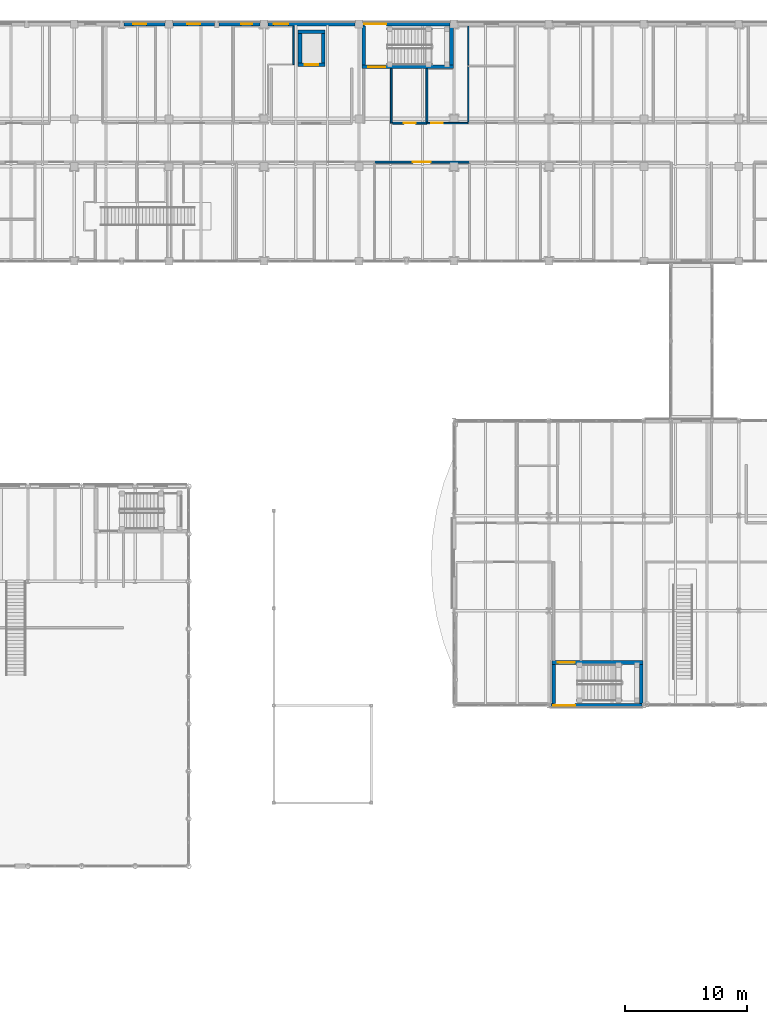
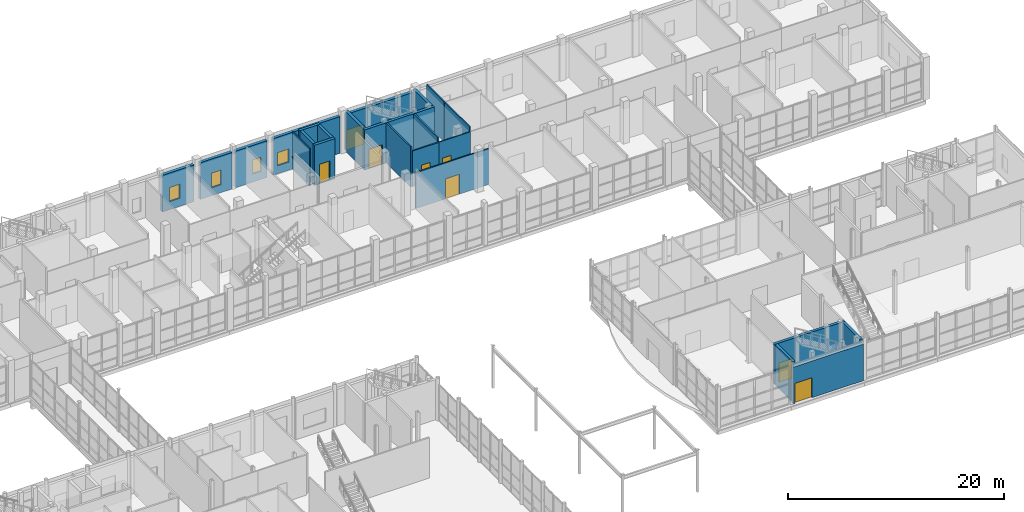
# One storey, part 102 of 131: 24 walls, 8 doors, 4 windows, 12 openings.
"""IFC4 building model written with IfcOpenShell, lengths in metres."""

from ifc_helpers import new_model, si_unit, direction, frame, frame_2d, origin, place, context, subcontext, project, spatial, rectangle, extrude, material, layer, layer_set, type_object, element, fill, save


model = new_model("IFC4")

# Units and contexts
model_context = context("Model", 3, precision=1e-05, world=origin(), true_north=direction((0.0, 1.0)))
body_context = subcontext(model_context, "Body", "Model", "MODEL_VIEW")
ifc_project = project(units=[si_unit("LENGTHUNIT", "METRE"), si_unit("AREAUNIT", "SQUARE_METRE"), si_unit("VOLUMEUNIT", "CUBIC_METRE"), si_unit("PLANEANGLEUNIT", "RADIAN"), si_unit("MASSUNIT", "GRAM", prefix="KILO")], contexts=[model_context])

# Site, building, storey
site_placement = place(None, origin())
site = spatial("IfcSite", under=ifc_project, at=site_placement, CompositionType="ELEMENT")
building_placement = place(site_placement, origin())
building = spatial("IfcBuilding", under=site, at=building_placement, Name="Celorna Specialist Clinic", CompositionType="ELEMENT")
storey_placement = place(building_placement, origin())
storey = spatial("IfcBuildingStorey", under=building, at=storey_placement, Name="L00", CompositionType="ELEMENT", Elevation=0.0)

# Wall, opening, door
ifc_material_1 = material(Name="Pero Pinheiro Lioz limestone insulated masonry", Category="masonry")
ifc_layer_1 = layer(ifc_material_1, 0.340087890625, Name="Pero Pinheiro Lioz limestone insulated masonry")
ifc_layer_set_1 = layer_set([ifc_layer_1], Name="Pero Pinheiro Lioz limestone insulated masonry")
wall_type_1 = type_object("IfcWallType", Name="WT-07", PredefinedType="STANDARD", material=ifc_layer_set_1)
wall_1_placement = place(storey_placement, frame((140.25, 60.0, 0.0), z_axis=(0.0, 0.0, 1.0), x_axis=(-1.0, 0.0, 0.0)))
wall_1 = element("IfcWall", 1, at=wall_1_placement, inside=storey, type_object=wall_type_1, Name="External facade wall WT-07 #141", PredefinedType="STANDARD", context=body_context, shape_type="SweptSolid", body=[
    extrude(rectangle(XDim=7.5, YDim=0.340087890625, at=frame_2d((3.75, 0.0))), origin(), (0.0, 0.0, 1.0), 4.139892578125),
])
opening_1_placement = place(wall_1_placement, frame((5.489990234375, 0.0, 0.0)))
opening_1 = element("IfcOpeningElement", 2, at=opening_1_placement, cuts=wall_1, Name="Opening DR-14", PredefinedType="OPENING", context=body_context, shape_type="SweptSolid", body=[
    extrude(rectangle(XDim=1.800048828125, YDim=2.25, at=frame_2d((0.89990234375, 1.125))), frame((0.0, 0.179931640625, 0.0), z_axis=(0.0, -1.0, 0.0), x_axis=(1.0, 0.0, 0.0)), (0.0, 0.0, 1.0), 0.360107421875),
])
ifc_material_2 = material(Name="Glazed aluminium final exit double door", Category="aluminium")
door_type_1 = type_object("IfcDoorType", Name="DR-14", OperationType="DOUBLE_DOOR_SINGLE_SWING", PredefinedType="DOOR", material=ifc_material_2)
door_1_placement = place(opening_1_placement, origin())
door_1 = element("IfcDoor", 3, at=door_1_placement, inside=storey, type_object=door_type_1, Name="Pedestrian final exit E13", OperationType="DOUBLE_DOOR_SINGLE_SWING", OverallHeight=2.25, OverallWidth=1.800048828125, PredefinedType="DOOR", context=body_context, shape_type="SweptSolid", body=[
    extrude(rectangle(XDim=1.800048828125, YDim=2.25, at=frame_2d((0.89990234375, 1.125))), frame((0.0, 0.02490234375, 0.0), z_axis=(0.0, -1.0, 0.0), x_axis=(1.0, 0.0, 0.0)), (0.0, 0.0, 1.0), 0.050048828125),
])
fill(opening_1, door_1)

# Wall, opening, window
wall_2_placement = place(storey_placement, frame((97.675048828125, 116.0, 0.0), z_axis=(0.0, 0.0, 1.0), x_axis=(1.0, 0.0, 0.0)))
wall_2 = element("IfcWall", 4, at=wall_2_placement, inside=storey, type_object=wall_type_1, Name="External facade wall WT-07 #170", PredefinedType="STANDARD", context=body_context, shape_type="SweptSolid", body=[
    extrude(rectangle(XDim=3.39990234375, YDim=0.340087890625, at=frame_2d((1.699951171875, 0.0))), origin(), (0.0, 0.0, 1.0), 4.139892578125),
])
opening_2_placement = place(wall_2_placement, frame((0.757568359375, 0.0, 0.89990234375)))
opening_2 = element("IfcOpeningElement", 5, at=opening_2_placement, cuts=wall_2, Name="Opening WN-03", PredefinedType="OPENING", context=body_context, shape_type="SweptSolid", body=[
    extrude(rectangle(XDim=1.10009765625, YDim=1.60009765625, at=frame_2d((0.550048828125, 0.800048828125))), frame((0.0, 0.179931640625, 0.0), z_axis=(0.0, -1.0, 0.0), x_axis=(1.0, 0.0, 0.0)), (0.0, 0.0, 1.0), 0.360107421875),
])
ifc_material_3 = material(Name="Thermally broken aluminium triple-glazed window", Category="aluminium")
window_type_1 = type_object("IfcWindowType", Name="WN-03", PartitioningType="SINGLE_PANEL", PredefinedType="WINDOW", material=ifc_material_3)
window_1_placement = place(opening_2_placement, origin())
window_1 = element("IfcWindow", 6, at=window_1_placement, inside=storey, type_object=window_type_1, Name="Facade window WN-03 #63", OverallHeight=1.60009765625, OverallWidth=1.10009765625, PartitioningType="SINGLE_PANEL", PredefinedType="WINDOW", context=body_context, shape_type="SweptSolid", body=[
    extrude(rectangle(XDim=1.10009765625, YDim=1.60009765625, at=frame_2d((0.550048828125, 0.800048828125))), frame((0.0, 0.030029296875, 0.0), z_axis=(0.0, -1.0, 0.0), x_axis=(1.0, 0.0, 0.0)), (0.0, 0.0, 1.0), 0.06005859375),
])
fill(opening_2, window_1)

wall_3_placement = place(storey_placement, frame((101.72509765625, 116.0, 0.0), z_axis=(0.0, 0.0, 1.0), x_axis=(1.0, 0.0, 0.0)))
wall_3 = element("IfcWall", 7, at=wall_3_placement, inside=storey, type_object=wall_type_1, Name="External facade wall WT-07 #171", PredefinedType="STANDARD", context=body_context, shape_type="SweptSolid", body=[
    extrude(rectangle(XDim=3.39990234375, YDim=0.340087890625, at=frame_2d((1.699951171875, 0.0))), origin(), (0.0, 0.0, 1.0), 4.139892578125),
])
opening_3_placement = place(wall_3_placement, frame((1.175048828125, 0.0, 0.89990234375)))
opening_3 = element("IfcOpeningElement", 8, at=opening_3_placement, cuts=wall_3, Name="Opening WN-21", PredefinedType="OPENING", context=body_context, shape_type="SweptSolid", body=[
    extrude(rectangle(XDim=1.050048828125, YDim=1.64990234375, at=frame_2d((0.52490234375, 0.824951171875))), frame((0.0, 0.179931640625, 0.0), z_axis=(0.0, -1.0, 0.0), x_axis=(1.0, 0.0, 0.0)), (0.0, 0.0, 1.0), 0.360107421875),
])
window_type_2 = type_object("IfcWindowType", Name="WN-21", PartitioningType="SINGLE_PANEL", PredefinedType="WINDOW", material=ifc_material_3)
window_2_placement = place(opening_3_placement, origin())
window_2 = element("IfcWindow", 9, at=window_2_placement, inside=storey, type_object=window_type_2, Name="Facade window WN-21 #64", OverallHeight=1.64990234375, OverallWidth=1.050048828125, PartitioningType="SINGLE_PANEL", PredefinedType="WINDOW", context=body_context, shape_type="SweptSolid", body=[
    extrude(rectangle(XDim=1.050048828125, YDim=1.64990234375, at=frame_2d((0.52490234375, 0.824951171875))), frame((0.0, 0.030029296875, 0.0), z_axis=(0.0, -1.0, 0.0), x_axis=(1.0, 0.0, 0.0)), (0.0, 0.0, 1.0), 0.06005859375),
])
fill(opening_3, window_2)

wall_4_placement = place(storey_placement, frame((105.47509765625, 116.0, 0.0), z_axis=(0.0, 0.0, 1.0), x_axis=(1.0, 0.0, 0.0)))
wall_4 = element("IfcWall", 10, at=wall_4_placement, inside=storey, type_object=wall_type_1, Name="External facade wall WT-07 #172", PredefinedType="STANDARD", context=body_context, shape_type="SweptSolid", body=[
    extrude(rectangle(XDim=3.39990234375, YDim=0.340087890625, at=frame_2d((1.699951171875, 0.0))), origin(), (0.0, 0.0, 1.0), 4.139892578125),
])
opening_4_placement = place(wall_4_placement, frame((1.83740234375, 0.0, 0.89990234375)))
opening_4 = element("IfcOpeningElement", 11, at=opening_4_placement, cuts=wall_4, Name="Opening WN-01", PredefinedType="OPENING", context=body_context, shape_type="SweptSolid", body=[
    extrude(rectangle(XDim=0.89990234375, YDim=1.60009765625, at=frame_2d((0.449951171875, 0.800048828125))), frame((0.0, 0.179931640625, 0.0), z_axis=(0.0, -1.0, 0.0), x_axis=(1.0, 0.0, 0.0)), (0.0, 0.0, 1.0), 0.360107421875),
])
window_type_3 = type_object("IfcWindowType", Name="WN-01", PartitioningType="SINGLE_PANEL", PredefinedType="WINDOW", material=ifc_material_3)
window_3_placement = place(opening_4_placement, origin())
window_3 = element("IfcWindow", 12, at=window_3_placement, inside=storey, type_object=window_type_3, Name="Facade window WN-01 #65", OverallHeight=1.60009765625, OverallWidth=0.89990234375, PartitioningType="SINGLE_PANEL", PredefinedType="WINDOW", context=body_context, shape_type="SweptSolid", body=[
    extrude(rectangle(XDim=0.89990234375, YDim=1.60009765625, at=frame_2d((0.449951171875, 0.800048828125))), frame((0.0, 0.030029296875, 0.0), z_axis=(0.0, -1.0, 0.0), x_axis=(1.0, 0.0, 0.0)), (0.0, 0.0, 1.0), 0.06005859375),
])
fill(opening_4, window_3)

wall_5_placement = place(storey_placement, frame((109.52490234375, 116.0, 0.0), z_axis=(0.0, 0.0, 1.0), x_axis=(1.0, 0.0, 0.0)))
wall_5 = element("IfcWall", 13, at=wall_5_placement, inside=storey, type_object=wall_type_1, Name="External facade wall WT-07 #173", PredefinedType="STANDARD", context=body_context, shape_type="SweptSolid", body=[
    extrude(rectangle(XDim=7.150146484375, YDim=0.340087890625, at=frame_2d((3.5751953125, 0.0))), origin(), (0.0, 0.0, 1.0), 4.139892578125),
])
opening_5_placement = place(wall_5_placement, frame((0.45751953125, 0.0, 0.89990234375)))
opening_5 = element("IfcOpeningElement", 14, at=opening_5_placement, cuts=wall_5, Name="Opening WN-04", PredefinedType="OPENING", context=body_context, shape_type="SweptSolid", body=[
    extrude(rectangle(XDim=1.199951171875, YDim=1.5, at=frame_2d((0.60009765625, 0.75))), frame((0.0, 0.179931640625, 0.0), z_axis=(0.0, -1.0, 0.0), x_axis=(1.0, 0.0, 0.0)), (0.0, 0.0, 1.0), 0.360107421875),
])
window_type_4 = type_object("IfcWindowType", Name="WN-04", PartitioningType="SINGLE_PANEL", PredefinedType="WINDOW", material=ifc_material_3)
window_4_placement = place(opening_5_placement, origin())
window_4 = element("IfcWindow", 15, at=window_4_placement, inside=storey, type_object=window_type_4, Name="Facade window WN-04 #66", OverallHeight=1.5, OverallWidth=1.199951171875, PartitioningType="SINGLE_PANEL", PredefinedType="WINDOW", context=body_context, shape_type="SweptSolid", body=[
    extrude(rectangle(XDim=1.199951171875, YDim=1.5, at=frame_2d((0.60009765625, 0.75))), frame((0.0, 0.030029296875, 0.0), z_axis=(0.0, -1.0, 0.0), x_axis=(1.0, 0.0, 0.0)), (0.0, 0.0, 1.0), 0.06005859375),
])
fill(opening_5, window_4)

# Wall, opening, door
wall_6_placement = place(storey_placement, frame((117.324951171875, 116.0, 0.0), z_axis=(0.0, 0.0, 1.0), x_axis=(1.0, 0.0, 0.0)))
wall_6 = element("IfcWall", 16, at=wall_6_placement, inside=storey, type_object=wall_type_1, Name="External facade wall WT-07 #174", PredefinedType="STANDARD", context=body_context, shape_type="SweptSolid", body=[
    extrude(rectangle(XDim=7.150146484375, YDim=0.340087890625, at=frame_2d((3.5751953125, 0.0))), origin(), (0.0, 0.0, 1.0), 4.139892578125),
])
opening_6_placement = place(wall_6_placement, frame((0.1201171875, 0.0, 0.0)))
opening_6 = element("IfcOpeningElement", 17, at=opening_6_placement, cuts=wall_6, Name="Opening DR-14", PredefinedType="OPENING", context=body_context, shape_type="SweptSolid", body=[
    extrude(rectangle(XDim=1.800048828125, YDim=2.25, at=frame_2d((0.89990234375, 1.125))), frame((0.0, 0.179931640625, 0.0), z_axis=(0.0, -1.0, 0.0), x_axis=(1.0, 0.0, 0.0)), (0.0, 0.0, 1.0), 0.360107421875),
])
door_2_placement = place(opening_6_placement, origin())
door_2 = element("IfcDoor", 18, at=door_2_placement, inside=storey, type_object=door_type_1, Name="Pedestrian final exit E03", OperationType="DOUBLE_DOOR_SINGLE_SWING", OverallHeight=2.25, OverallWidth=1.800048828125, PredefinedType="DOOR", context=body_context, shape_type="SweptSolid", body=[
    extrude(rectangle(XDim=1.800048828125, YDim=2.25, at=frame_2d((0.89990234375, 1.125))), frame((0.0, 0.02490234375, 0.0), z_axis=(0.0, -1.0, 0.0), x_axis=(1.0, 0.0, 0.0)), (0.0, 0.0, 1.0), 0.050048828125),
])
fill(opening_6, door_2)

ifc_material_4 = material(Name="Concrete C35/45", Category="concrete")
ifc_layer_2 = layer(ifc_material_4, 0.300048828125, Name="Concrete C35/45")
ifc_layer_set_2 = layer_set([ifc_layer_2], Name="Concrete C35/45")
wall_type_2 = type_object("IfcWallType", Name="WT-08", PredefinedType="SHEAR", material=ifc_layer_set_2)
wall_7_placement = place(storey_placement, frame((117.239990234375, 112.469970703125, 0.0), z_axis=(0.0, 0.0, 1.0), x_axis=(1.0, 0.0, 0.0)))
wall_7 = element("IfcWall", 19, at=wall_7_placement, inside=storey, type_object=wall_type_2, Name="Stair ST-03 RC core wall L00 south", PredefinedType="SHEAR", context=body_context, shape_type="SweptSolid", body=[
    extrude(rectangle(XDim=7.5, YDim=0.300048828125, at=frame_2d((3.75, 0.0))), origin(), (0.0, 0.0, 1.0), 4.5400390625),
])
opening_7_placement = place(wall_7_placement, frame((0.5, 0.0, 0.0)))
opening_7 = element("IfcOpeningElement", 20, at=opening_7_placement, cuts=wall_7, Name="Opening DR-10", PredefinedType="OPENING", context=body_context, shape_type="SweptSolid", body=[
    extrude(rectangle(XDim=1.39990234375, YDim=2.199951171875, at=frame_2d((0.699951171875, 1.10009765625))), frame((0.0, 0.159912109375, 0.0), z_axis=(0.0, -1.0, 0.0), x_axis=(1.0, 0.0, 0.0)), (0.0, 0.0, 1.0), 0.320068359375),
])
ifc_material_5 = material(Name="Protected exit stair fire door")
door_type_2 = type_object("IfcDoorType", Name="DR-10", OperationType="NOTDEFINED", PredefinedType="DOOR", material=ifc_material_5)
door_3_placement = place(opening_7_placement, origin())
door_3 = element("IfcDoor", 21, at=door_3_placement, inside=storey, type_object=door_type_2, Name="Protected exit stair door ST-03 L00", OperationType="SINGLE_SWING_RIGHT", OverallHeight=2.199951171875, OverallWidth=1.39990234375, PredefinedType="DOOR", context=body_context, shape_type="SweptSolid", body=[
    extrude(rectangle(XDim=1.39990234375, YDim=2.199951171875, at=frame_2d((0.699951171875, 1.10009765625))), frame((0.0, 0.02490234375, 0.0), z_axis=(0.0, -1.0, 0.0), x_axis=(1.0, 0.0, 0.0)), (0.0, 0.0, 1.0), 0.050048828125),
])
fill(opening_7, door_3)

# Walls
for number, where, z_axis, x_axis, name in (
    (22, (117.389892578125, 115.85009765625, 0.0), (0.0, 0.0, 1.0), (0.0, -1.0, 0.0), "Stair ST-03 RC core wall L00 west"),
    (23, (124.590087890625, 112.6201171875, 0.0), (0.0, 0.0, 1.0), (0.0, 1.0, 0.0), "Stair ST-03 RC core wall L00 east"),
):
    element("IfcWall", number, at=place(storey_placement, frame(where, z_axis=z_axis, x_axis=x_axis)), inside=storey, type_object=wall_type_2, Name=name, PredefinedType="SHEAR", context=body_context, shape_type="SweptSolid", body=[
        extrude(rectangle(XDim=3.22998046875, YDim=0.300048828125, at=frame_2d((1.614990234375, 0.0))), origin(), (0.0, 0.0, 1.0), 4.5400390625),
    ])

# Wall, opening, door
wall_8_placement = place(storey_placement, frame((140.340087890625, 63.530029296875, 0.0), z_axis=(0.0, 0.0, 1.0), x_axis=(-1.0, 0.0, 0.0)))
wall_8 = element("IfcWall", 24, at=wall_8_placement, inside=storey, type_object=wall_type_2, Name="Stair ST-13 RC core wall L00 north", PredefinedType="SHEAR", context=body_context, shape_type="SweptSolid", body=[
    extrude(rectangle(XDim=7.5, YDim=0.300048828125, at=frame_2d((3.75, 0.0))), origin(), (0.0, 0.0, 1.0), 4.5400390625),
])
opening_8_placement = place(wall_8_placement, frame((5.60009765625, 0.0, 0.0)))
opening_8 = element("IfcOpeningElement", 25, at=opening_8_placement, cuts=wall_8, Name="Opening DR-10", PredefinedType="OPENING", context=body_context, shape_type="SweptSolid", body=[
    extrude(rectangle(XDim=1.39990234375, YDim=2.199951171875, at=frame_2d((0.699951171875, 1.10009765625))), frame((0.0, 0.159912109375, 0.0), z_axis=(0.0, -1.0, 0.0), x_axis=(1.0, 0.0, 0.0)), (0.0, 0.0, 1.0), 0.320068359375),
])
door_4_placement = place(opening_8_placement, origin())
door_4 = element("IfcDoor", 26, at=door_4_placement, inside=storey, type_object=door_type_2, Name="Protected exit stair door ST-13 L00", OperationType="SINGLE_SWING_RIGHT", OverallHeight=2.199951171875, OverallWidth=1.39990234375, PredefinedType="DOOR", context=body_context, shape_type="SweptSolid", body=[
    extrude(rectangle(XDim=1.39990234375, YDim=2.199951171875, at=frame_2d((0.699951171875, 1.10009765625))), frame((0.0, 0.02490234375, 0.0), z_axis=(0.0, -1.0, 0.0), x_axis=(1.0, 0.0, 0.0)), (0.0, 0.0, 1.0), 0.050048828125),
])
fill(opening_8, door_4)

# Walls
for number, where, z_axis, x_axis, name in (
    (27, (132.989990234375, 63.3798828125, 0.0), (0.0, 0.0, 1.0), (0.0, -1.0, 0.0), "Stair ST-13 RC core wall L00 west"),
    (28, (140.18994140625, 60.14990234375, 0.0), (0.0, 0.0, 1.0), (0.0, 1.0, 0.0), "Stair ST-13 RC core wall L00 east"),
):
    element("IfcWall", number, at=place(storey_placement, frame(where, z_axis=z_axis, x_axis=x_axis)), inside=storey, type_object=wall_type_2, Name=name, PredefinedType="SHEAR", context=body_context, shape_type="SweptSolid", body=[
        extrude(rectangle(XDim=3.22998046875, YDim=0.300048828125, at=frame_2d((1.614990234375, 0.0))), origin(), (0.0, 0.0, 1.0), 4.5400390625),
    ])

# Wall, opening, door
wall_9_placement = place(storey_placement, frame((112.0, 112.64990234375, 0.0), z_axis=(0.0, 0.0, 1.0), x_axis=(1.0, 0.0, 0.0)))
wall_9 = element("IfcWall", 29, at=wall_9_placement, inside=storey, type_object=wall_type_2, Name="Lift LF-03 RC shaft wall L00", PredefinedType="SHEAR", context=body_context, shape_type="SweptSolid", body=[
    extrude(rectangle(XDim=2.199951171875, YDim=0.300048828125, at=frame_2d((1.10009765625, 0.0))), origin(), (0.0, 0.0, 1.0), 4.5400390625),
])
opening_9_placement = place(wall_9_placement, frame((0.550048828125, 0.0, 0.0)))
opening_9 = element("IfcOpeningElement", 30, at=opening_9_placement, cuts=wall_9, Name="Opening LD-01", PredefinedType="OPENING", context=body_context, shape_type="SweptSolid", body=[
    extrude(rectangle(XDim=1.10009765625, YDim=2.199951171875, at=frame_2d((0.550048828125, 1.10009765625))), frame((0.0, 0.159912109375, 0.0), z_axis=(0.0, -1.0, 0.0), x_axis=(1.0, 0.0, 0.0)), (0.0, 0.0, 1.0), 0.320068359375),
])
ifc_material_6 = material(Name="Stainless steel lift landing sliding door", Category="steel")
door_type_3 = type_object("IfcDoorType", Name="LD-01", OperationType="DOUBLE_DOOR_SLIDING", PredefinedType="DOOR", material=ifc_material_6)
door_5_placement = place(opening_9_placement, origin())
door_5 = element("IfcDoor", 31, at=door_5_placement, inside=storey, type_object=door_type_3, Name="Lift LF-03 sliding landing door L00", OperationType="DOUBLE_DOOR_SLIDING", OverallHeight=2.199951171875, OverallWidth=1.10009765625, PredefinedType="DOOR", context=body_context, shape_type="SweptSolid", body=[
    extrude(rectangle(XDim=1.10009765625, YDim=2.199951171875, at=frame_2d((0.550048828125, 1.10009765625))), frame((0.0, 0.02490234375, 0.0), z_axis=(0.0, -1.0, 0.0), x_axis=(1.0, 0.0, 0.0)), (0.0, 0.0, 1.0), 0.050048828125),
])
fill(opening_9, door_5)

# Walls
wall_10_placement = place(storey_placement, frame((114.199951171875, 115.35009765625, 0.0), z_axis=(0.0, 0.0, 1.0), x_axis=(-1.0, 0.0, 0.0)))
element("IfcWall", 32, at=wall_10_placement, inside=storey, type_object=wall_type_2, Name="Lift LF-03 RC shaft wall L00", PredefinedType="SHEAR", context=body_context, shape_type="SweptSolid", body=[
    extrude(rectangle(XDim=2.199951171875, YDim=0.300048828125, at=frame_2d((1.10009765625, 0.0))), origin(), (0.0, 0.0, 1.0), 4.5400390625),
])
for number, where, z_axis, x_axis, name in (
    (33, (112.14990234375, 115.199951171875, 0.0), (0.0, 0.0, 1.0), (0.0, -1.0, 0.0), "Lift LF-03 RC shaft wall L00"),
    (34, (114.050048828125, 112.800048828125, 0.0), (0.0, 0.0, 1.0), (0.0, 1.0, 0.0), "Lift LF-03 RC shaft wall L00"),
):
    element("IfcWall", number, at=place(storey_placement, frame(where, z_axis=z_axis, x_axis=x_axis)), inside=storey, type_object=wall_type_2, Name=name, PredefinedType="SHEAR", context=body_context, shape_type="SweptSolid", body=[
        extrude(rectangle(XDim=2.39990234375, YDim=0.300048828125, at=frame_2d((1.199951171875, 0.0))), origin(), (0.0, 0.0, 1.0), 4.5400390625),
    ])
ifc_material_7 = material(Name="Fire-rated gypsum board partition")
ifc_layer_3 = layer(ifc_material_7, 0.14990234375, Name="Fire-rated gypsum board partition")
ifc_layer_set_3 = layer_set([ifc_layer_3], Name="Fire-rated gypsum board partition")
wall_type_3 = type_object("IfcWallType", Name="WT-14", PredefinedType="PARTITIONING", material=ifc_layer_set_3)
wall_11_placement = place(storey_placement, frame((119.639892578125, 107.85009765625, 0.0), z_axis=(0.0, 0.0, 1.0), x_axis=(0.0, 1.0, 0.0)))
element("IfcWall", 35, at=wall_11_placement, inside=storey, type_object=wall_type_3, Name="Corridor spur partition WT-14", PredefinedType="PARTITIONING", context=body_context, shape_type="SweptSolid", body=[
    extrude(rectangle(XDim=4.469970703125, YDim=0.14990234375, at=frame_2d((2.23486328125, 0.0))), origin(), (0.0, 0.0, 1.0), 4.5400390625),
])

# Wall, opening, door
wall_12_placement = place(storey_placement, frame((126.070068359375, 104.64990234375, 0.0), z_axis=(0.0, 0.0, 1.0), x_axis=(-1.0, 0.0, 0.0)))
wall_12 = element("IfcWall", 36, at=wall_12_placement, inside=storey, type_object=wall_type_3, Name="Interior partition WT-14 L00-064", PredefinedType="PARTITIONING", context=body_context, shape_type="SweptSolid", body=[
    extrude(rectangle(XDim=7.800048828125, YDim=0.14990234375, at=frame_2d((3.89990234375, 0.0))), origin(), (0.0, 0.0, 1.0), 4.0400390625),
])
opening_10_placement = place(wall_12_placement, frame((3.159912109375, 0.0, 0.0)))
opening_10 = element("IfcOpeningElement", 37, at=opening_10_placement, cuts=wall_12, Name="Opening DR-23", PredefinedType="OPENING", context=body_context, shape_type="SweptSolid", body=[
    extrude(rectangle(XDim=1.47998046875, YDim=2.25, at=frame_2d((0.739990234375, 1.125))), frame((0.0, 0.0849609375, 0.0), z_axis=(0.0, -1.0, 0.0), x_axis=(1.0, 0.0, 0.0)), (0.0, 0.0, 1.0), 0.169921875),
])
ifc_material_8 = material(Name="Double leaf treatment room door")
door_type_4 = type_object("IfcDoorType", Name="DR-23", OperationType="DOUBLE_DOOR_SINGLE_SWING", PredefinedType="DOOR", material=ifc_material_8)
door_6_placement = place(opening_10_placement, origin())
door_6 = element("IfcDoor", 38, at=door_6_placement, inside=storey, type_object=door_type_4, Name="Phlebotomy and Blood Collection Suite door L00-064", OperationType="DOUBLE_DOOR_SINGLE_SWING", OverallHeight=2.25, OverallWidth=1.47998046875, PredefinedType="DOOR", context=body_context, shape_type="SweptSolid", body=[
    extrude(rectangle(XDim=1.47998046875, YDim=2.25, at=frame_2d((0.739990234375, 1.125))), frame((0.0, 0.02490234375, 0.0), z_axis=(0.0, -1.0, 0.0), x_axis=(1.0, 0.0, 0.0)), (0.0, 0.0, 1.0), 0.050048828125),
])
fill(opening_10, door_6)

wall_13_placement = place(storey_placement, frame((119.760009765625, 107.85009765625, 0.0), z_axis=(0.0, 0.0, 1.0), x_axis=(1.0, 0.0, 0.0)))
wall_13 = element("IfcWall", 39, at=wall_13_placement, inside=storey, type_object=wall_type_3, Name="Interior partition WT-14 L00-079", PredefinedType="PARTITIONING", context=body_context, shape_type="SweptSolid", body=[
    extrude(rectangle(XDim=2.81005859375, YDim=0.14990234375, at=frame_2d((1.405029296875, 0.0))), origin(), (0.0, 0.0, 1.0), 4.0400390625),
])
opening_11_placement = place(wall_13_placement, frame((0.929931640625, 0.0, 0.0)))
opening_11 = element("IfcOpeningElement", 40, at=opening_11_placement, cuts=wall_13, Name="Opening DR-03", PredefinedType="OPENING", context=body_context, shape_type="SweptSolid", body=[
    extrude(rectangle(XDim=0.949951171875, YDim=2.10009765625, at=frame_2d((0.47509765625, 1.050048828125))), frame((0.0, 0.0849609375, 0.0), z_axis=(0.0, -1.0, 0.0), x_axis=(1.0, 0.0, 0.0)), (0.0, 0.0, 1.0), 0.169921875),
])
ifc_material_9 = material(Name="Moisture-resistant accessible WC door")
door_type_5 = type_object("IfcDoorType", Name="DR-03", OperationType="NOTDEFINED", PredefinedType="DOOR", material=ifc_material_9)
door_7_placement = place(opening_11_placement, origin())
door_7 = element("IfcDoor", 41, at=door_7_placement, inside=storey, type_object=door_type_5, Name="Accessible WC door L00-079", OperationType="SINGLE_SWING_LEFT", OverallHeight=2.10009765625, OverallWidth=0.949951171875, PredefinedType="DOOR", context=body_context, shape_type="SweptSolid", body=[
    extrude(rectangle(XDim=0.949951171875, YDim=2.10009765625, at=frame_2d((0.47509765625, 1.050048828125))), frame((0.0, 0.02490234375, 0.0), z_axis=(0.0, -1.0, 0.0), x_axis=(1.0, 0.0, 0.0)), (0.0, 0.0, 1.0), 0.050048828125),
])
fill(opening_11, door_7)

# Wall
wall_14_placement = place(storey_placement, frame((122.570068359375, 107.925048828125, 0.0), z_axis=(0.0, 0.0, 1.0), x_axis=(0.0, 1.0, 0.0)))
element("IfcWall", 42, at=wall_14_placement, inside=storey, type_object=wall_type_3, Name="Room dividing partition WT-14 L00-079", PredefinedType="PARTITIONING", context=body_context, shape_type="SweptSolid", body=[
    extrude(rectangle(XDim=4.39501953125, YDim=0.14990234375, at=frame_2d((2.197509765625, 0.0))), origin(), (0.0, 0.0, 1.0), 4.5400390625),
])

# Wall, opening, door
ifc_material_10 = material(Name="Acoustic gypsum board partition")
ifc_layer_4 = layer(ifc_material_10, 0.1201171875, Name="Acoustic gypsum board partition")
ifc_layer_set_4 = layer_set([ifc_layer_4], Name="Acoustic gypsum board partition")
wall_type_4 = type_object("IfcWallType", Name="WT-15", PredefinedType="PARTITIONING", material=ifc_layer_set_4)
wall_15_placement = place(storey_placement, frame((122.570068359375, 107.85009765625, 0.0), z_axis=(0.0, 0.0, 1.0), x_axis=(1.0, 0.0, 0.0)))
wall_15 = element("IfcWall", 43, at=wall_15_placement, inside=storey, type_object=wall_type_4, Name="Interior partition WT-15 L00-080", PredefinedType="PARTITIONING", context=body_context, shape_type="SweptSolid", body=[
    extrude(rectangle(XDim=3.39990234375, YDim=0.1201171875, at=frame_2d((1.699951171875, 0.0))), origin(), (0.0, 0.0, 1.0), 4.0400390625),
])
opening_12_placement = place(wall_15_placement, frame((0.375, 0.0, 0.0)))
opening_12 = element("IfcOpeningElement", 44, at=opening_12_placement, cuts=wall_15, Name="Opening DR-03", PredefinedType="OPENING", context=body_context, shape_type="SweptSolid", body=[
    extrude(rectangle(XDim=0.949951171875, YDim=2.10009765625, at=frame_2d((0.47509765625, 1.050048828125))), frame((0.0, 0.070068359375, 0.0), z_axis=(0.0, -1.0, 0.0), x_axis=(1.0, 0.0, 0.0)), (0.0, 0.0, 1.0), 0.14013671875),
])
door_8_placement = place(opening_12_placement, origin())
door_8 = element("IfcDoor", 45, at=door_8_placement, inside=storey, type_object=door_type_5, Name="Public Female WC door L00-080", OperationType="SINGLE_SWING_RIGHT", OverallHeight=2.10009765625, OverallWidth=0.949951171875, PredefinedType="DOOR", context=body_context, shape_type="SweptSolid", body=[
    extrude(rectangle(XDim=0.949951171875, YDim=2.10009765625, at=frame_2d((0.47509765625, 1.050048828125))), frame((0.0, 0.02490234375, 0.0), z_axis=(0.0, -1.0, 0.0), x_axis=(1.0, 0.0, 0.0)), (0.0, 0.0, 1.0), 0.050048828125),
])
fill(opening_12, door_8)

# Walls
wall_16_placement = place(storey_placement, frame((111.6201171875, 112.64990234375, 0.0), z_axis=(0.0, 0.0, 1.0), x_axis=(0.0, 1.0, 0.0)))
element("IfcWall", 46, at=wall_16_placement, inside=storey, type_object=wall_type_4, Name="Room dividing partition WT-15 L00-078", PredefinedType="PARTITIONING", context=body_context, shape_type="SweptSolid", body=[
    extrude(rectangle(XDim=3.18017578125, YDim=0.1201171875, at=frame_2d((1.590087890625, 0.0))), origin(), (0.0, 0.0, 1.0), 4.2099609375),
])
wall_17_placement = place(storey_placement, frame((125.969970703125, 107.909912109375, 0.0), z_axis=(0.0, 0.0, 1.0), x_axis=(0.0, 1.0, 0.0)))
element("IfcWall", 47, at=wall_17_placement, inside=storey, type_object=wall_type_4, Name="Room dividing partition WT-15 L00-080", PredefinedType="PARTITIONING", context=body_context, shape_type="SweptSolid", body=[
    extrude(rectangle(XDim=4.580078125, YDim=0.1201171875, at=frame_2d((2.2900390625, 0.0))), origin(), (0.0, 0.0, 1.0), 4.5400390625),
])
wall_18_placement = place(storey_placement, frame((125.969970703125, 112.610107421875, 0.0), z_axis=(0.0, 0.0, 1.0), x_axis=(0.0, 1.0, 0.0)))
element("IfcWall", 48, at=wall_18_placement, inside=storey, type_object=wall_type_4, Name="Room dividing partition WT-15 L00-080", PredefinedType="PARTITIONING", context=body_context, shape_type="SweptSolid", body=[
    extrude(rectangle(XDim=3.219970703125, YDim=0.1201171875, at=frame_2d((1.60986328125, 0.0))), origin(), (0.0, 0.0, 1.0), 4.5400390625),
])

save(model, "model.ifc")
